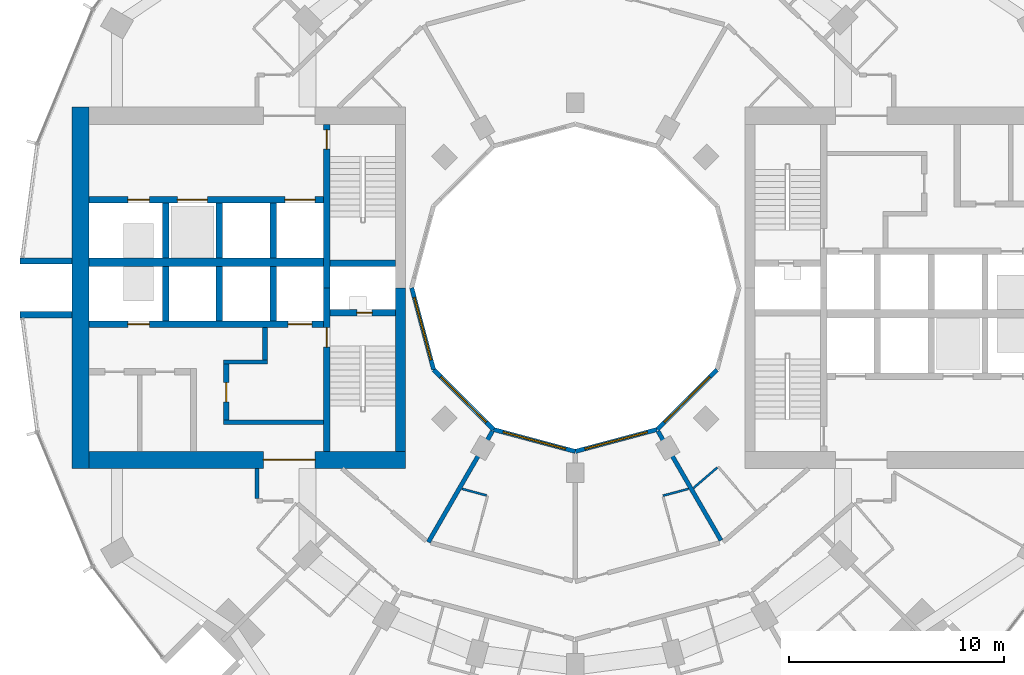
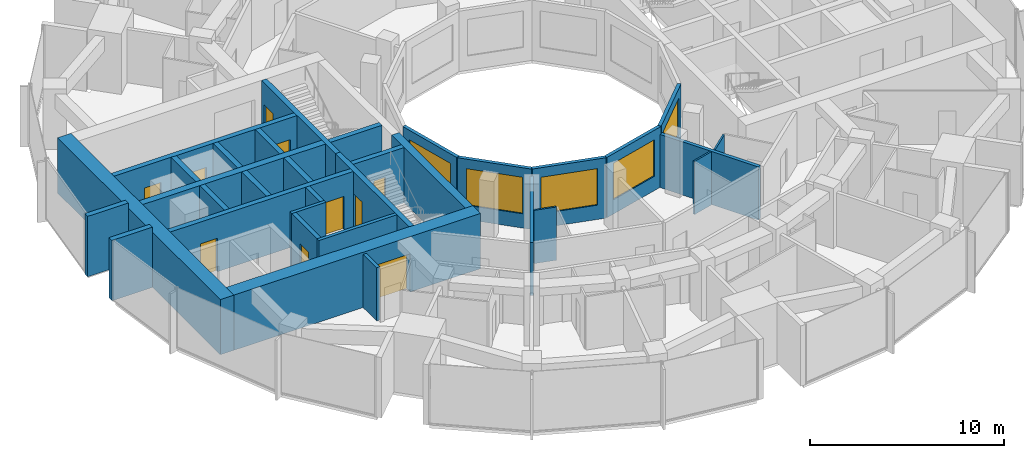
# One storey, part 9 of 15: 33 walls, 10 doors, 5 windows, 15 openings.
"""IFC4 building model written with IfcOpenShell, lengths in metres."""

import ifcopenshell
import ifcopenshell.guid

model = None  # the IFC model being written
_history = None  # IfcOwnerHistory: only IFC2X3 demands one
_inside = {}  # id of a spatial element -> (the spatial element, [elements in it])
_under = {}  # id of a project, library or spatial element -> (it, [spatial elements below it])
_declared = {}  # id of a project -> (the project, [libraries it declares])
_typed = {}  # id of a type object -> (the type object, [elements of that type])
_made_of = {}  # id of a material, layer set ... -> (it, [elements and type objects made of it])


def new_model(schema):
    """Start an empty IFC model of exactly this schema.

    Asked for "IFC4X3", IfcOpenShell would pick the latest addendum, in which some entities
    have other attributes; the version numbers below select the first issue.
    IFC2X3 requires an IfcOwnerHistory on every rooted entity: one is made here for all.
    """
    global model, _history
    if schema == "IFC4X3":
        model = ifcopenshell.file(schema_version=(4, 3, 0, 0))
    else:
        model = ifcopenshell.file(schema=schema)
    _inside.clear()
    _under.clear()
    _declared.clear()
    _typed.clear()
    _made_of.clear()
    _history = None
    if model.schema == "IFC2X3":
        org = make("IfcOrganization", Name="unknown")
        user = make(
            "IfcPersonAndOrganization",
            ThePerson=make("IfcPerson", FamilyName="unknown"),
            TheOrganization=org,
        )
        app = make(
            "IfcApplication",
            ApplicationDeveloper=org,
            Version="unknown",
            ApplicationFullName="unknown",
            ApplicationIdentifier="unknown",
        )
        _history = make(
            "IfcOwnerHistory",
            OwningUser=user,
            OwningApplication=app,
            ChangeAction="ADDED",
            CreationDate=0,
        )
    return model


def make(cls, **values):
    """One entity of the class cls with the attributes given. An attribute that is None is left unset."""
    return model.create_entity(
        cls, **{name: value for name, value in values.items() if value is not None}
    )


def rooted(cls, **values):
    """An entity with a GlobalId (a new one), such as an element, a storey or a relation."""
    return make(cls, GlobalId=ifcopenshell.guid.new(), OwnerHistory=_history, **values)


def si_unit(unit_type, name, prefix=None):
    """IfcSIUnit, for example si_unit("LENGTHUNIT", "METRE", prefix="MILLI")."""
    return make("IfcSIUnit", UnitType=unit_type, Prefix=prefix, Name=name)


def assignment(units):
    """IfcUnitAssignment: the units of a project."""
    return None if units is None else make("IfcUnitAssignment", Units=units)


def point(xyz):
    """IfcCartesianPoint."""
    return None if xyz is None else make("IfcCartesianPoint", Coordinates=xyz)


def direction(xyz):
    """IfcDirection."""
    return None if xyz is None else make("IfcDirection", DirectionRatios=xyz)


def frame(location, z_axis=None, x_axis=None):
    """IfcAxis2Placement3D, a coordinate frame: its origin and axes. An axis left out is left unset."""
    return make(
        "IfcAxis2Placement3D",
        Location=point(location),
        Axis=direction(z_axis),
        RefDirection=direction(x_axis),
    )


def frame_2d(location, x_axis=None):
    """IfcAxis2Placement2D, a coordinate frame in the plane: its origin and x axis."""
    return make(
        "IfcAxis2Placement2D", Location=point(location), RefDirection=direction(x_axis)
    )


def origin():
    """The frame at (0, 0, 0) with its axes left unset."""
    return frame((0.0, 0.0, 0.0))


def place(relative_to, where):
    """IfcLocalPlacement: puts the frame where relative to a parent placement (None: the world)."""
    return make(
        "IfcLocalPlacement", PlacementRelTo=relative_to, RelativePlacement=where
    )


def context(
    kind, dimensions, precision=None, world=None, true_north=None, identifier=None
):
    """IfcGeometricRepresentationContext, for example the 3D "Model" context."""
    return make(
        "IfcGeometricRepresentationContext",
        ContextIdentifier=identifier,
        ContextType=kind,
        CoordinateSpaceDimension=dimensions,
        Precision=precision,
        WorldCoordinateSystem=world,
        TrueNorth=true_north,
    )


def subcontext(parent, identifier, kind, view, scale=None):
    """IfcGeometricRepresentationSubContext, for example "Body" below "Model"."""
    return make(
        "IfcGeometricRepresentationSubContext",
        ContextIdentifier=identifier,
        ContextType=kind,
        ParentContext=parent,
        TargetScale=scale,
        TargetView=view,
    )


def project(units=None, contexts=None):
    """IfcProject with its units and contexts."""
    return rooted(
        "IfcProject",
        Name="project",
        RepresentationContexts=contexts,
        UnitsInContext=assignment(units),
    )


def spatial(cls, under=None, at=None, **own):
    """A site, building, storey or space (cls), placed at a placement, below another one or the project."""
    s = rooted(cls, ObjectPlacement=at, **own)
    if under is not None:
        _under.setdefault(under.id(), (under, []))[1].append(s)
    return s


def profile(cls, at=None, kind="AREA", **sizes):
    """A parametric profile (cls). Its sizes go by their IFC names, for example OverallWidth=200.0."""
    return make(cls, ProfileType=kind, Position=at, **sizes)


def rectangle(**sizes):
    """IfcRectangleProfileDef."""
    return profile("IfcRectangleProfileDef", **sizes)


def extrude(swept, where, along, depth):
    """IfcExtrudedAreaSolid: the profile swept, set in the frame where, extruded along a direction by depth."""
    return make(
        "IfcExtrudedAreaSolid",
        SweptArea=swept,
        Position=where,
        ExtrudedDirection=direction(along),
        Depth=depth,
    )


def shape(context_of_items, identifier, shape_type, items):
    """IfcShapeRepresentation: the items that make up one representation, for example the "Body"."""
    return make(
        "IfcShapeRepresentation",
        ContextOfItems=context_of_items,
        RepresentationIdentifier=identifier,
        RepresentationType=shape_type,
        Items=items,
    )


def material(Name=None, Category=None):
    """IfcMaterial."""
    return make("IfcMaterial", Name=Name, Category=Category)


def layer(
    of_material, thickness, ventilated=None, Name=None, Category=None, Priority=None
):
    """IfcMaterialLayer: one layer of a wall or slab, of a material (None: an air gap)."""
    return make(
        "IfcMaterialLayer",
        Material=of_material,
        LayerThickness=thickness,
        IsVentilated=ventilated,
        Name=Name,
        Category=Category,
        Priority=Priority,
    )


def layer_set(layers, Name=None):
    """IfcMaterialLayerSet."""
    return make("IfcMaterialLayerSet", MaterialLayers=layers, LayerSetName=Name)


def made_of(thing, what):
    """Note that an element or type object is made of a material, layer set ...; save() writes the relation."""
    if what is not None:
        _made_of.setdefault(what.id(), (what, []))[1].append(thing)
    return thing


def type_object(cls, material=None, **own):
    """A type object (cls), such as IfcWallType, which elements share."""
    return made_of(rooted(cls, **own), material)


def element(
    cls,
    number,
    at=None,
    inside=None,
    cuts=None,
    type_object=None,
    material=None,
    context=None,
    identifier="Body",
    shape_type=None,
    held_by="IfcProductDefinitionShape",
    body=None,
    shapes=None,
    **own,
):
    """One element of the class cls, such as IfcWall. Its Tag is "e" and its number.

    at: its placement. inside: the storey or other place that contains it. cuts: it is an
    opening in that element (IfcRelVoidsElement). A single representation is given by context,
    identifier, shape_type and body (its items); several are given by shapes. held_by: the class
    of the entity that holds the representations. save() writes the other relations.
    """
    e = rooted(cls, Tag="e%d" % number, ObjectPlacement=at, **own)
    if body is not None:
        shapes = [shape(context, identifier, shape_type, body)]
    if shapes is not None:
        e.Representation = make(held_by, Representations=shapes)
    if inside is not None:
        _inside.setdefault(inside.id(), (inside, []))[1].append(e)
    if cuts is not None:
        rooted(
            "IfcRelVoidsElement", RelatingBuildingElement=cuts, RelatedOpeningElement=e
        )
    if type_object is not None:
        _typed.setdefault(type_object.id(), (type_object, []))[1].append(e)
    return made_of(e, material)


def fill(opening, filler):
    """IfcRelFillsElement: the door or window that sits in an opening."""
    return rooted(
        "IfcRelFillsElement",
        RelatingOpeningElement=opening,
        RelatedBuildingElement=filler,
    )


def aggregate(whole, parts):
    """IfcRelAggregates: a whole, such as a stair, and the parts it consists of."""
    return rooted("IfcRelAggregates", RelatingObject=whole, RelatedObjects=parts)


def save(model, path):
    """Write the relations noted so far, then the file.

    IfcRelAggregates (storeys below a building ...), IfcRelContainedInSpatialStructure (elements
    in a storey), IfcRelDefinesByType, IfcRelAssociatesMaterial and IfcRelDeclares: one each for
    every whole, place, type object, material and project.
    """
    for whole, parts in _under.values():
        aggregate(whole, parts)
    for where, things in _inside.values():
        rooted(
            "IfcRelContainedInSpatialStructure",
            RelatedElements=things,
            RelatingStructure=where,
        )
    for kind, things in _typed.values():
        rooted("IfcRelDefinesByType", RelatedObjects=things, RelatingType=kind)
    for what, things in _made_of.values():
        rooted("IfcRelAssociatesMaterial", RelatedObjects=things, RelatingMaterial=what)
    for by, libraries in _declared.values():
        rooted("IfcRelDeclares", RelatingContext=by, RelatedDefinitions=libraries)
    model.write(path)


model = new_model("IFC4")

# Units and contexts
model_context = context("Model", 3, precision=1e-05, world=origin(), true_north=direction((0.0, 1.0)))
body_context = subcontext(model_context, "Body", "Model", "MODEL_VIEW")
ifc_project = project(units=[si_unit("LENGTHUNIT", "METRE"), si_unit("AREAUNIT", "SQUARE_METRE"), si_unit("VOLUMEUNIT", "CUBIC_METRE"), si_unit("PLANEANGLEUNIT", "RADIAN"), si_unit("MASSUNIT", "GRAM", prefix="KILO")], contexts=[model_context])

# Site, building, storey
site_placement = place(None, origin())
site = spatial("IfcSite", under=ifc_project, at=site_placement, CompositionType="ELEMENT")
building_placement = place(site_placement, origin())
building = spatial("IfcBuilding", under=site, at=building_placement, Name="Torre Brocal", CompositionType="ELEMENT")
storey_placement = place(building_placement, frame((0.0, 0.0, 47.800048828125)))
storey = spatial("IfcBuildingStorey", under=building, at=storey_placement, Name="L10", CompositionType="ELEMENT", Elevation=47.800048828125)

# Walls
ifc_material_1 = material(Name="Concrete C80", Category="concrete")
ifc_layer_1 = layer(ifc_material_1, 0.199951171875)
ifc_layer_set_1 = layer_set([ifc_layer_1], Name="Concrete C80")
wall_type_1 = type_object("IfcWallType", Name="CORE WALL 200 C80", PredefinedType="SHEAR", material=ifc_layer_set_1)
wall_1_placement = place(storey_placement, frame((68.300048828125, 68.75, 0.0), z_axis=(0.0, 0.0, 1.0), x_axis=(-1.0, 0.0, 0.0)))
element("IfcWall", 1, at=wall_1_placement, inside=storey, type_object=wall_type_1, Name="Wall CW200-80", PredefinedType="SHEAR", context=body_context, shape_type="SweptSolid", body=[
    extrude(rectangle(XDim=4.650146484375, YDim=0.199951171875, at=frame_2d((2.3251953125, 0.0))), origin(), (0.0, 0.0, 1.0), 3.47998046875),
])
wall_2_placement = place(storey_placement, frame((65.699951171875, 71.550048828125, 0.0), z_axis=(0.0, 0.0, 1.0), x_axis=(-1.0, 0.0, 0.0)))
element("IfcWall", 2, at=wall_2_placement, inside=storey, type_object=wall_type_1, Name="Wall CW200-80", PredefinedType="SHEAR", context=body_context, shape_type="SweptSolid", body=[
    extrude(rectangle(XDim=2.050048828125, YDim=0.199951171875, at=frame_2d((1.02490234375, 0.0))), origin(), (0.0, 0.0, 1.0), 3.47998046875),
])

# Wall, opening, door
ifc_material_2 = material(Name="Concrete C80", Category="concrete")
ifc_layer_2 = layer(ifc_material_2, 0.25)
ifc_layer_set_2 = layer_set([ifc_layer_2], Name="Concrete C80")
wall_type_2 = type_object("IfcWallType", Name="CORE WALL 250 C80", PredefinedType="SHEAR", material=ifc_layer_set_2)
wall_3_placement = place(storey_placement, frame((63.77490234375, 71.449951171875, 0.0), z_axis=(0.0, 0.0, 1.0), x_axis=(0.0, -1.0, 0.0)))
wall_3 = element("IfcWall", 3, at=wall_3_placement, inside=storey, type_object=wall_type_2, Name="Wall CW250-80", PredefinedType="SHEAR", context=body_context, shape_type="SweptSolid", body=[
    extrude(rectangle(XDim=2.599853515625, YDim=0.25, at=frame_2d((1.2998046875, 0.0))), origin(), (0.0, 0.0, 1.0), 3.47998046875),
])
opening_1_placement = place(wall_3_placement, frame((0.85009765625, 0.0, 0.0)))
opening_1 = element("IfcOpeningElement", 4, at=opening_1_placement, cuts=wall_3, Name="Opening W-D15", PredefinedType="OPENING", context=body_context, shape_type="SweptSolid", body=[
    extrude(rectangle(XDim=0.89990234375, YDim=2.10009765625, at=frame_2d((0.449951171875, 1.050048828125))), frame((0.0, 0.135009765625, 0.0), z_axis=(0.0, -1.0, 0.0), x_axis=(1.0, 0.0, 0.0)), (0.0, 0.0, 1.0), 0.27001953125),
])
ifc_material_3 = material(Name="Steel A653", Category="steel")
door_type_1 = type_object("IfcDoorType", Name="LOBBY DOOR FD120 900X2100", OperationType="SINGLE_SWING_RIGHT", PredefinedType="DOOR", material=ifc_material_3)
door_1_placement = place(opening_1_placement, origin())
door_1 = element("IfcDoor", 5, at=door_1_placement, inside=storey, type_object=door_type_1, Name="Door W-D15", OperationType="SINGLE_SWING_LEFT", OverallHeight=2.10009765625, OverallWidth=0.89990234375, PredefinedType="DOOR", context=body_context, shape_type="SweptSolid", body=[
    extrude(rectangle(XDim=0.89990234375, YDim=2.10009765625, at=frame_2d((0.449951171875, 1.050048828125))), frame((0.0, 0.02490234375, 0.0), z_axis=(0.0, -1.0, 0.0), x_axis=(1.0, 0.0, 0.0)), (0.0, 0.0, 1.0), 0.050048828125),
])
fill(opening_1, door_1)

# Wall
wall_4_placement = place(storey_placement, frame((65.574951171875, 73.14990234375, 0.0), z_axis=(0.0, 0.0, 1.0), x_axis=(0.0, -1.0, 0.0)))
element("IfcWall", 6, at=wall_4_placement, inside=storey, type_object=wall_type_2, Name="Wall CW250-80", PredefinedType="SHEAR", context=body_context, shape_type="SweptSolid", body=[
    extrude(rectangle(XDim=1.5, YDim=0.25, at=frame_2d((0.75, 0.0))), origin(), (0.0, 0.0, 1.0), 3.47998046875),
])

# Wall, opening, door
ifc_material_4 = material(Name="Concrete C80", Category="concrete")
ifc_layer_3 = layer(ifc_material_4, 0.300048828125)
ifc_layer_set_3 = layer_set([ifc_layer_3], Name="Concrete C80")
wall_type_3 = type_object("IfcWallType", Name="CORE WALL 300 C80", PredefinedType="SHEAR", material=ifc_layer_set_3)
wall_5_placement = place(storey_placement, frame((68.449951171875, 75.0, 0.0), z_axis=(0.0, 0.0, 1.0), x_axis=(0.0, -1.0, 0.0)))
wall_5 = element("IfcWall", 7, at=wall_5_placement, inside=storey, type_object=wall_type_3, Name="Wall CW300-80", PredefinedType="SHEAR", context=body_context, shape_type="SweptSolid", body=[
    extrude(rectangle(XDim=7.60009765625, YDim=0.300048828125, at=frame_2d((3.800048828125, 0.0))), origin(), (0.0, 0.0, 1.0), 3.47998046875),
])
opening_2_placement = place(wall_5_placement, frame((1.85009765625, 0.0, 0.0)))
opening_2 = element("IfcOpeningElement", 8, at=opening_2_placement, cuts=wall_5, Name="Opening W-D02", PredefinedType="OPENING", context=body_context, shape_type="SweptSolid", body=[
    extrude(rectangle(XDim=0.89990234375, YDim=2.10009765625, at=frame_2d((0.449951171875, 1.050048828125))), frame((0.0, 0.159912109375, 0.0), z_axis=(0.0, -1.0, 0.0), x_axis=(1.0, 0.0, 0.0)), (0.0, 0.0, 1.0), 0.320068359375),
])
ifc_material_5 = material(Name="Steel A653", Category="steel")
door_type_2 = type_object("IfcDoorType", Name="STAIR DOOR FD120 900X2100", OperationType="SINGLE_SWING_RIGHT", PredefinedType="DOOR", material=ifc_material_5)
door_2_placement = place(opening_2_placement, origin())
door_2 = element("IfcDoor", 9, at=door_2_placement, inside=storey, type_object=door_type_2, Name="Door W-D02", OperationType="SINGLE_SWING_LEFT", OverallHeight=2.10009765625, OverallWidth=0.89990234375, PredefinedType="DOOR", context=body_context, shape_type="SweptSolid", body=[
    extrude(rectangle(XDim=0.89990234375, YDim=2.10009765625, at=frame_2d((0.449951171875, 1.050048828125))), frame((0.0, 0.02490234375, 0.0), z_axis=(0.0, -1.0, 0.0), x_axis=(1.0, 0.0, 0.0)), (0.0, 0.0, 1.0), 0.050048828125),
])
fill(opening_2, door_2)

wall_6_placement = place(storey_placement, frame((68.449951171875, 82.60009765625, 0.0), z_axis=(0.0, 0.0, 1.0), x_axis=(0.0, -1.0, 0.0)))
wall_6 = element("IfcWall", 10, at=wall_6_placement, inside=storey, type_object=wall_type_3, Name="Wall CW300-80", PredefinedType="SHEAR", context=body_context, shape_type="SweptSolid", body=[
    extrude(rectangle(XDim=7.60009765625, YDim=0.300048828125, at=frame_2d((3.800048828125, 0.0))), origin(), (0.0, 0.0, 1.0), 3.47998046875),
])
opening_3_placement = place(wall_6_placement, frame((0.25, 0.0, 0.0)))
opening_3 = element("IfcOpeningElement", 11, at=opening_3_placement, cuts=wall_6, Name="Opening W-D03", PredefinedType="OPENING", context=body_context, shape_type="SweptSolid", body=[
    extrude(rectangle(XDim=0.89990234375, YDim=2.10009765625, at=frame_2d((0.449951171875, 1.050048828125))), frame((0.0, 0.159912109375, 0.0), z_axis=(0.0, -1.0, 0.0), x_axis=(1.0, 0.0, 0.0)), (0.0, 0.0, 1.0), 0.320068359375),
])
door_3_placement = place(opening_3_placement, origin())
door_3 = element("IfcDoor", 12, at=door_3_placement, inside=storey, type_object=door_type_2, Name="Door W-D03", OperationType="SINGLE_SWING_LEFT", OverallHeight=2.10009765625, OverallWidth=0.89990234375, PredefinedType="DOOR", context=body_context, shape_type="SweptSolid", body=[
    extrude(rectangle(XDim=0.89990234375, YDim=2.10009765625, at=frame_2d((0.449951171875, 1.050048828125))), frame((0.0, 0.02490234375, 0.0), z_axis=(0.0, -1.0, 0.0), x_axis=(1.0, 0.0, 0.0)), (0.0, 0.0, 1.0), 0.050048828125),
])
fill(opening_3, door_3)

wall_7_placement = place(storey_placement, frame((71.64990234375, 73.85009765625, 0.0), z_axis=(0.0, 0.0, 1.0), x_axis=(-1.0, 0.0, 0.0)))
wall_7 = element("IfcWall", 13, at=wall_7_placement, inside=storey, type_object=wall_type_3, Name="Wall CW300-80", PredefinedType="SHEAR", context=body_context, shape_type="SweptSolid", body=[
    extrude(rectangle(XDim=3.0498046875, YDim=0.300048828125, at=frame_2d((1.52490234375, 0.0))), origin(), (0.0, 0.0, 1.0), 3.47998046875),
])
opening_4_placement = place(wall_7_placement, frame((1.10009765625, 0.0, 0.0)))
opening_4 = element("IfcOpeningElement", 14, at=opening_4_placement, cuts=wall_7, Name="Opening W-D01", PredefinedType="OPENING", context=body_context, shape_type="SweptSolid", body=[
    extrude(rectangle(XDim=0.699951171875, YDim=2.0, at=frame_2d((0.35009765625, 1.0))), frame((0.0, 0.159912109375, 0.0), z_axis=(0.0, -1.0, 0.0), x_axis=(1.0, 0.0, 0.0)), (0.0, 0.0, 1.0), 0.320068359375),
])
ifc_material_6 = material(Name="Steel A653", Category="steel")
door_type_3 = type_object("IfcDoorType", Name="RISER DOOR FD120 700X2000", OperationType="SINGLE_SWING_LEFT", PredefinedType="DOOR", material=ifc_material_6)
door_4_placement = place(opening_4_placement, frame((0.699951171875, 0.0, 0.0), z_axis=(0.0, 0.0, 1.0), x_axis=(-1.0, 0.0, 0.0)))
door_4 = element("IfcDoor", 15, at=door_4_placement, inside=storey, type_object=door_type_3, Name="Door W-D01", OperationType="SINGLE_SWING_RIGHT", OverallHeight=2.0, OverallWidth=0.699951171875, PredefinedType="DOOR", context=body_context, shape_type="SweptSolid", body=[
    extrude(rectangle(XDim=0.699951171875, YDim=2.0, at=frame_2d((0.35009765625, 1.0))), frame((0.0, 0.02490234375, 0.0), z_axis=(0.0, -1.0, 0.0), x_axis=(1.0, 0.0, 0.0)), (0.0, 0.0, 1.0), 0.050048828125),
])
fill(opening_4, door_4)

# Wall
wall_8_placement = place(storey_placement, frame((71.64990234375, 76.14990234375, 0.0), z_axis=(0.0, 0.0, 1.0), x_axis=(-1.0, 0.0, 0.0)))
element("IfcWall", 16, at=wall_8_placement, inside=storey, type_object=wall_type_3, Name="Wall CW300-80", PredefinedType="SHEAR", context=body_context, shape_type="SweptSolid", body=[
    extrude(rectangle(XDim=3.0498046875, YDim=0.300048828125, at=frame_2d((1.52490234375, 0.0))), origin(), (0.0, 0.0, 1.0), 3.47998046875),
])

# Wall, openings, doors
wall_9_placement = place(storey_placement, frame((68.300048828125, 73.300048828125, 0.0), z_axis=(0.0, 0.0, 1.0), x_axis=(-1.0, 0.0, 0.0)))
wall_9 = element("IfcWall", 17, at=wall_9_placement, inside=storey, type_object=wall_type_3, Name="Wall CW300-80", PredefinedType="SHEAR", context=body_context, shape_type="SweptSolid", body=[
    extrude(rectangle(XDim=10.900146484375, YDim=0.300048828125, at=frame_2d((5.4501953125, 0.0))), origin(), (0.0, 0.0, 1.0), 3.47998046875),
])
opening_5_placement = place(wall_9_placement, frame((0.550048828125, 0.0, 0.0)))
opening_5 = element("IfcOpeningElement", 18, at=opening_5_placement, cuts=wall_9, Name="Opening LD", PredefinedType="OPENING", context=body_context, shape_type="SweptSolid", body=[
    extrude(rectangle(XDim=1.10009765625, YDim=2.10009765625, at=frame_2d((0.550048828125, 1.050048828125))), frame((0.0, 0.159912109375, 0.0), z_axis=(0.0, -1.0, 0.0), x_axis=(1.0, 0.0, 0.0)), (0.0, 0.0, 1.0), 0.320068359375),
])
opening_6_placement = place(wall_9_placement, frame((8.10009765625, 0.0, 0.0)))
opening_6 = element("IfcOpeningElement", 19, at=opening_6_placement, cuts=wall_9, Name="Opening LD10", PredefinedType="OPENING", context=body_context, shape_type="SweptSolid", body=[
    extrude(rectangle(XDim=1.0, YDim=2.10009765625, at=frame_2d((0.5, 1.050048828125))), frame((0.0, 0.159912109375, 0.0), z_axis=(0.0, -1.0, 0.0), x_axis=(1.0, 0.0, 0.0)), (0.0, 0.0, 1.0), 0.320068359375),
])
ifc_material_7 = material(Name="Stainless steel AISI 316", Category="steel")
door_type_4 = type_object("IfcDoorType", Name="LIFT LANDING DOOR 1000X2100", OperationType="DOUBLE_DOOR_SLIDING", PredefinedType="DOOR", material=ifc_material_7)
door_5_placement = place(opening_6_placement, origin())
door_5 = element("IfcDoor", 20, at=door_5_placement, inside=storey, type_object=door_type_4, Name="Door LD10", OperationType="DOUBLE_DOOR_SLIDING", OverallHeight=2.10009765625, OverallWidth=1.0, PredefinedType="DOOR", context=body_context, shape_type="SweptSolid", body=[
    extrude(rectangle(XDim=1.0, YDim=2.10009765625, at=frame_2d((0.5, 1.050048828125))), frame((0.0, 0.02490234375, 0.0), z_axis=(0.0, -1.0, 0.0), x_axis=(1.0, 0.0, 0.0)), (0.0, 0.0, 1.0), 0.050048828125),
])
fill(opening_6, door_5)
ifc_material_8 = material(Name="Stainless steel AISI 316", Category="steel")
door_type_5 = type_object("IfcDoorType", Name="LIFT LANDING DOOR 1100X2100", OperationType="DOUBLE_DOOR_SLIDING", PredefinedType="DOOR", material=ifc_material_8)
door_6_placement = place(opening_5_placement, origin())
door_6 = element("IfcDoor", 21, at=door_6_placement, inside=storey, type_object=door_type_5, Name="Door LD", OperationType="DOUBLE_DOOR_SLIDING", OverallHeight=2.10009765625, OverallWidth=1.10009765625, PredefinedType="DOOR", context=body_context, shape_type="SweptSolid", body=[
    extrude(rectangle(XDim=1.10009765625, YDim=2.10009765625, at=frame_2d((0.550048828125, 1.050048828125))), frame((0.0, 0.02490234375, 0.0), z_axis=(0.0, -1.0, 0.0), x_axis=(1.0, 0.0, 0.0)), (0.0, 0.0, 1.0), 0.050048828125),
])
fill(opening_5, door_6)

wall_10_placement = place(storey_placement, frame((68.300048828125, 79.10009765625, 0.0), z_axis=(0.0, 0.0, 1.0), x_axis=(-1.0, 0.0, 0.0)))
wall_10 = element("IfcWall", 22, at=wall_10_placement, inside=storey, type_object=wall_type_3, Name="Wall CW300-80", PredefinedType="SHEAR", context=body_context, shape_type="SweptSolid", body=[
    extrude(rectangle(XDim=10.900146484375, YDim=0.300048828125, at=frame_2d((5.4501953125, 0.0))), origin(), (0.0, 0.0, 1.0), 3.47998046875),
])
opening_7_placement = place(wall_10_placement, frame((0.39990234375, 0.0, 0.0)))
opening_7 = element("IfcOpeningElement", 23, at=opening_7_placement, cuts=wall_10, Name="Opening LD14", PredefinedType="OPENING", context=body_context, shape_type="SweptSolid", body=[
    extrude(rectangle(XDim=1.39990234375, YDim=2.10009765625, at=frame_2d((0.699951171875, 1.050048828125))), frame((0.0, 0.159912109375, 0.0), z_axis=(0.0, -1.0, 0.0), x_axis=(1.0, 0.0, 0.0)), (0.0, 0.0, 1.0), 0.320068359375),
])
opening_8_placement = place(wall_10_placement, frame((5.39990234375, 0.0, 0.0)))
opening_8 = element("IfcOpeningElement", 24, at=opening_8_placement, cuts=wall_10, Name="Opening LD14", PredefinedType="OPENING", context=body_context, shape_type="SweptSolid", body=[
    extrude(rectangle(XDim=1.39990234375, YDim=2.10009765625, at=frame_2d((0.699951171875, 1.050048828125))), frame((0.0, 0.159912109375, 0.0), z_axis=(0.0, -1.0, 0.0), x_axis=(1.0, 0.0, 0.0)), (0.0, 0.0, 1.0), 0.320068359375),
])
opening_9_placement = place(wall_10_placement, frame((8.10009765625, 0.0, 0.0)))
opening_9 = element("IfcOpeningElement", 25, at=opening_9_placement, cuts=wall_10, Name="Opening LD10", PredefinedType="OPENING", context=body_context, shape_type="SweptSolid", body=[
    extrude(rectangle(XDim=1.0, YDim=2.10009765625, at=frame_2d((0.5, 1.050048828125))), frame((0.0, 0.159912109375, 0.0), z_axis=(0.0, -1.0, 0.0), x_axis=(1.0, 0.0, 0.0)), (0.0, 0.0, 1.0), 0.320068359375),
])
door_7_placement = place(opening_9_placement, origin())
door_7 = element("IfcDoor", 26, at=door_7_placement, inside=storey, type_object=door_type_4, Name="Door LD10", OperationType="DOUBLE_DOOR_SLIDING", OverallHeight=2.10009765625, OverallWidth=1.0, PredefinedType="DOOR", context=body_context, shape_type="SweptSolid", body=[
    extrude(rectangle(XDim=1.0, YDim=2.10009765625, at=frame_2d((0.5, 1.050048828125))), frame((0.0, 0.02490234375, 0.0), z_axis=(0.0, -1.0, 0.0), x_axis=(1.0, 0.0, 0.0)), (0.0, 0.0, 1.0), 0.050048828125),
])
fill(opening_9, door_7)
ifc_material_9 = material(Name="Stainless steel AISI 316", Category="steel")
door_type_6 = type_object("IfcDoorType", Name="LIFT LANDING DOOR 1400X2100", OperationType="DOUBLE_DOOR_SLIDING", PredefinedType="DOOR", material=ifc_material_9)
door_8_placement = place(opening_7_placement, origin())
door_8 = element("IfcDoor", 27, at=door_8_placement, inside=storey, type_object=door_type_6, Name="Door LD14", OperationType="DOUBLE_DOOR_SLIDING", OverallHeight=2.10009765625, OverallWidth=1.39990234375, PredefinedType="DOOR", context=body_context, shape_type="SweptSolid", body=[
    extrude(rectangle(XDim=1.39990234375, YDim=2.10009765625, at=frame_2d((0.699951171875, 1.050048828125))), frame((0.0, 0.02490234375, 0.0), z_axis=(0.0, -1.0, 0.0), x_axis=(1.0, 0.0, 0.0)), (0.0, 0.0, 1.0), 0.050048828125),
])
fill(opening_7, door_8)
door_9_placement = place(opening_8_placement, origin())
door_9 = element("IfcDoor", 28, at=door_9_placement, inside=storey, type_object=door_type_6, Name="Door LD14", OperationType="DOUBLE_DOOR_SLIDING", OverallHeight=2.10009765625, OverallWidth=1.39990234375, PredefinedType="DOOR", context=body_context, shape_type="SweptSolid", body=[
    extrude(rectangle(XDim=1.39990234375, YDim=2.10009765625, at=frame_2d((0.699951171875, 1.050048828125))), frame((0.0, 0.02490234375, 0.0), z_axis=(0.0, -1.0, 0.0), x_axis=(1.0, 0.0, 0.0)), (0.0, 0.0, 1.0), 0.050048828125),
])
fill(opening_8, door_9)

# Walls
for number, where, z_axis, x_axis, name in (
    (29, (65.949951171875, 76.0, 0.0), (0.0, 0.0, 1.0), (0.0, -1.0, 0.0), "Wall CW300-80"),
    (30, (63.449951171875, 76.0, 0.0), (0.0, 0.0, 1.0), (0.0, -1.0, 0.0), "Wall CW300-80"),
    (31, (60.949951171875, 76.0, 0.0), (0.0, 0.0, 1.0), (0.0, -1.0, 0.0), "Wall CW300-80"),
    (32, (65.949951171875, 78.949951171875, 0.0), (0.0, 0.0, 1.0), (0.0, -1.0, 0.0), "Wall CW300-80"),
    (33, (63.449951171875, 78.949951171875, 0.0), (0.0, 0.0, 1.0), (0.0, -1.0, 0.0), "Wall CW300-80"),
    (34, (60.949951171875, 78.949951171875, 0.0), (0.0, 0.0, 1.0), (0.0, -1.0, 0.0), "Wall CW300-80"),
):
    element("IfcWall", number, at=place(storey_placement, frame(where, z_axis=z_axis, x_axis=x_axis)), inside=storey, type_object=wall_type_3, Name=name, PredefinedType="SHEAR", context=body_context, shape_type="SweptSolid", body=[
        extrude(rectangle(XDim=2.550048828125, YDim=0.300048828125, at=frame_2d((1.27490234375, 0.0))), origin(), (0.0, 0.0, 1.0), 3.47998046875),
    ])
ifc_material_10 = material(Name="Concrete C80", Category="concrete")
ifc_layer_4 = layer(ifc_material_10, 0.39990234375)
ifc_layer_set_4 = layer_set([ifc_layer_4], Name="Concrete C80")
wall_type_4 = type_object("IfcWallType", Name="CORE WALL 400 C80", PredefinedType="SHEAR", material=ifc_layer_set_4)
wall_11_placement = place(storey_placement, frame((68.300048828125, 76.199951171875, 0.0), z_axis=(0.0, 0.0, 1.0), x_axis=(-1.0, 0.0, 0.0)))
element("IfcWall", 35, at=wall_11_placement, inside=storey, type_object=wall_type_4, Name="Wall CW400-80", PredefinedType="SHEAR", context=body_context, shape_type="SweptSolid", body=[
    extrude(rectangle(XDim=10.900146484375, YDim=0.39990234375, at=frame_2d((5.4501953125, 0.0))), origin(), (0.0, 0.0, 1.0), 3.47998046875),
])
ifc_material_11 = material(Name="Concrete C80", Category="concrete")
ifc_layer_5 = layer(ifc_material_11, 0.449951171875)
ifc_layer_set_5 = layer_set([ifc_layer_5], Name="Concrete C80")
wall_type_5 = type_object("IfcWallType", Name="CORE WALL 450 C80", PredefinedType="SHEAR", material=ifc_layer_set_5)
wall_12_placement = place(storey_placement, frame((71.875, 75.0, 0.0), z_axis=(0.0, 0.0, 1.0), x_axis=(0.0, -1.0, 0.0)))
element("IfcWall", 36, at=wall_12_placement, inside=storey, type_object=wall_type_5, Name="Wall CW450-80", PredefinedType="SHEAR", context=body_context, shape_type="SweptSolid", body=[
    extrude(rectangle(XDim=7.60009765625, YDim=0.449951171875, at=frame_2d((3.800048828125, 0.0))), origin(), (0.0, 0.0, 1.0), 3.47998046875),
])

# Wall, opening, door
ifc_material_12 = material(Name="Concrete C80", Category="concrete")
ifc_layer_6 = layer(ifc_material_12, 0.800048828125)
ifc_layer_set_6 = layer_set([ifc_layer_6], Name="Concrete C80")
wall_type_6 = type_object("IfcWallType", Name="CORE WALL 800 C80", PredefinedType="SHEAR", material=ifc_layer_set_6)
wall_13_placement = place(storey_placement, frame((72.10009765625, 67.0, 0.0), z_axis=(0.0, 0.0, 1.0), x_axis=(-1.0, 0.0, 0.0)))
wall_13 = element("IfcWall", 37, at=wall_13_placement, inside=storey, type_object=wall_type_6, Name="Wall CW800-80", PredefinedType="SHEAR", context=body_context, shape_type="SweptSolid", body=[
    extrude(rectangle(XDim=14.7001953125, YDim=0.800048828125, at=frame_2d((7.35009765625, 0.0))), origin(), (0.0, 0.0, 1.0), 3.47998046875),
])
opening_10_placement = place(wall_13_placement, frame((4.199951171875, 0.0, 0.0)))
opening_10 = element("IfcOpeningElement", 38, at=opening_10_placement, cuts=wall_13, Name="Opening W-D24", PredefinedType="OPENING", context=body_context, shape_type="SweptSolid", body=[
    extrude(rectangle(XDim=2.39990234375, YDim=2.39990234375, at=frame_2d((1.199951171875, 1.199951171875))), frame((0.0, 0.409912109375, 0.0), z_axis=(0.0, -1.0, 0.0), x_axis=(1.0, 0.0, 0.0)), (0.0, 0.0, 1.0), 0.820068359375),
])
ifc_material_13 = material(Name="Steel A653", Category="steel")
door_type_7 = type_object("IfcDoorType", Name="DOUBLE FIRE DOOR FD90 2400X2400", OperationType="DOUBLE_DOOR_SINGLE_SWING", PredefinedType="DOOR", material=ifc_material_13)
door_10_placement = place(opening_10_placement, frame((2.39990234375, 0.0, 0.0), z_axis=(0.0, 0.0, 1.0), x_axis=(-1.0, 0.0, 0.0)))
door_10 = element("IfcDoor", 39, at=door_10_placement, inside=storey, type_object=door_type_7, Name="Door W-D24", OperationType="DOUBLE_DOOR_SINGLE_SWING", OverallHeight=2.39990234375, OverallWidth=2.39990234375, PredefinedType="DOOR", context=body_context, shape_type="SweptSolid", body=[
    extrude(rectangle(XDim=2.39990234375, YDim=2.39990234375, at=frame_2d((1.199951171875, 1.199951171875))), frame((0.0, 0.02490234375, 0.0), z_axis=(0.0, -1.0, 0.0), x_axis=(1.0, 0.0, 0.0)), (0.0, 0.0, 1.0), 0.050048828125),
])
fill(opening_10, door_10)

# Walls
wall_14_placement = place(storey_placement, frame((57.0, 83.39990234375, 0.0), z_axis=(0.0, 0.0, 1.0), x_axis=(0.0, -1.0, 0.0)))
element("IfcWall", 40, at=wall_14_placement, inside=storey, type_object=wall_type_6, Name="Wall CW800-80", PredefinedType="SHEAR", context=body_context, shape_type="SweptSolid", body=[
    extrude(rectangle(XDim=16.7998046875, YDim=0.800048828125, at=frame_2d((8.39990234375, 0.0))), origin(), (0.0, 0.0, 1.0), 3.47998046875),
])
ifc_material_14 = material(Name="Concrete C80", Category="concrete")
ifc_layer_7 = layer(ifc_material_14, 0.300048828125)
ifc_layer_set_7 = layer_set([ifc_layer_7], Name="Concrete C80")
wall_type_7 = type_object("IfcWallType", Name="NOTCH RETURN WALL 300 C80", PredefinedType="NOTDEFINED", material=ifc_layer_set_7)
for number, where, z_axis, x_axis, name in (
    (41, (56.60009765625, 76.25, 0.0), (0.0, 0.0, 1.0), (-1.0, 0.0, 0.0), "NOTCH RETURN WALL"),
    (42, (56.60009765625, 73.75, 0.0), (0.0, 0.0, 1.0), (-1.0, 0.0, 0.0), "NOTCH RETURN WALL"),
):
    element("IfcWall", number, at=place(storey_placement, frame(where, z_axis=z_axis, x_axis=x_axis)), inside=storey, type_object=wall_type_7, Name=name, PredefinedType="NOTDEFINED", context=body_context, shape_type="SweptSolid", body=[
        extrude(rectangle(XDim=2.415771484375, YDim=0.300048828125, at=frame_2d((1.2080078125, 0.0))), origin(), (0.0, 0.0, 1.0), 3.800048828125),
    ])
ifc_material_15 = material(Name="Gypsum board", Category="Gypsum")
ifc_layer_8 = layer(ifc_material_15, 0.10009765625)
ifc_layer_set_8 = layer_set([ifc_layer_8], Name="Gypsum board")
wall_type_8 = type_object("IfcWallType", Name="PARTITION 100", PredefinedType="PARTITIONING", material=ifc_layer_set_8)
wall_15_placement = place(storey_placement, frame((74.729248046875, 65.657470703125, 0.0), z_axis=(0.0, 0.0, 1.0), x_axis=(0.965948051503, -0.258736085224, 0.0)))
element("IfcWall", 43, at=wall_15_placement, inside=storey, type_object=wall_type_8, Name="BATHROOM WALL", PredefinedType="PARTITIONING", context=body_context, shape_type="SweptSolid", body=[
    extrude(rectangle(XDim=1.18896484375, YDim=0.10009765625, at=frame_2d((0.594482421875, 0.0))), origin(), (0.0, 0.0, 1.0), 3.349853515625),
])
wall_16_placement = place(storey_placement, frame((84.073974609375, 65.3369140625, 0.0), z_axis=(0.0, 0.0, 1.0), x_axis=(0.965914351064, 0.258861867428, 0.0)))
element("IfcWall", 44, at=wall_16_placement, inside=storey, type_object=wall_type_8, Name="BATHROOM WALL", PredefinedType="PARTITIONING", context=body_context, shape_type="SweptSolid", body=[
    extrude(rectangle(XDim=1.22900390625, YDim=0.10009765625, at=frame_2d((0.614501953125, 0.0))), origin(), (0.0, 0.0, 1.0), 3.349853515625),
])
wall_17_placement = place(storey_placement, frame((85.497314453125, 65.69580078125, 0.0), z_axis=(0.0, 0.0, 1.0), x_axis=(0.75817032582, 0.652056559698, 0.0)))
element("IfcWall", 45, at=wall_17_placement, inside=storey, type_object=wall_type_8, Name="BATHROOM WALL", PredefinedType="PARTITIONING", context=body_context, shape_type="SweptSolid", body=[
    extrude(rectangle(XDim=1.4609375, YDim=0.10009765625, at=frame_2d((0.73046875, 0.0))), origin(), (0.0, 0.0, 1.0), 3.349853515625),
])
ifc_material_16 = material(Name="Gypsum board", Category="Gypsum")
ifc_layer_9 = layer(ifc_material_16, 0.199951171875)
ifc_layer_set_9 = layer_set([ifc_layer_9], Name="Gypsum board")
wall_type_9 = type_object("IfcWallType", Name="PARTITION 200 EI60", PredefinedType="PARTITIONING", material=ifc_layer_set_9)
wall_18_placement = place(storey_placement, frame((65.199951171875, 65.199951171875, 0.0), z_axis=(0.0, 0.0, 1.0), x_axis=(0.0, 1.0, 0.0)))
element("IfcWall", 46, at=wall_18_placement, inside=storey, type_object=wall_type_9, Name="GUESTROOM CORRIDOR WALL", PredefinedType="PARTITIONING", context=body_context, shape_type="SweptSolid", body=[
    extrude(rectangle(XDim=1.399169921875, YDim=0.199951171875, at=frame_2d((0.69970703125, 0.0))), origin(), (0.0, 0.0, 1.0), 3.349853515625),
])
wall_19_placement = place(storey_placement, frame((73.169189453125, 63.17822265625, 0.0), z_axis=(0.0, 0.0, 1.0), x_axis=(0.50020860964, 0.865904929448, 0.0)))
element("IfcWall", 47, at=wall_19_placement, inside=storey, type_object=wall_type_9, Name="BATHROOM WALL", PredefinedType="PARTITIONING", context=body_context, shape_type="SweptSolid", body=[
    extrude(rectangle(XDim=5.955078125, YDim=0.199951171875, at=frame_2d((2.9775390625, 0.0))), origin(), (0.0, 0.0, 1.0), 3.349853515625),
])
wall_20_placement = place(storey_placement, frame((83.847900390625, 68.332275390625, 0.0), z_axis=(0.0, 0.0, 1.0), x_axis=(0.499919778085, -0.866071714975, 0.0)))
element("IfcWall", 48, at=wall_20_placement, inside=storey, type_object=wall_type_9, Name="BATHROOM WALL", PredefinedType="PARTITIONING", context=body_context, shape_type="SweptSolid", body=[
    extrude(rectangle(XDim=5.85498046875, YDim=0.199951171875, at=frame_2d((2.927490234375, 0.0))), origin(), (0.0, 0.0, 1.0), 3.349853515625),
])

# Wall, opening, window
ifc_material_17 = material(Name="Concrete C40", Category="concrete")
ifc_layer_10 = layer(ifc_material_17, 0.199951171875)
ifc_layer_set_10 = layer_set([ifc_layer_10], Name="Concrete C40")
wall_type_10 = type_object("IfcWallType", Name="WELL FACADE WALL 200", PredefinedType="NOTDEFINED", material=ifc_layer_set_10)
wall_21_placement = place(storey_placement, frame((72.396484375, 75.0, 0.0), z_axis=(0.0, 0.0, 1.0), x_axis=(0.258789828301, -0.965933654434, 0.0)))
wall_21 = element("IfcWall", 49, at=wall_21_placement, inside=storey, type_object=wall_type_10, Name="WELL FACADE WALL", PredefinedType="NOTDEFINED", context=body_context, shape_type="SweptSolid", body=[
    extrude(rectangle(XDim=3.935791015625, YDim=0.199951171875, at=frame_2d((1.9677734375, 0.0))), origin(), (0.0, 0.0, 1.0), 3.800048828125),
])
opening_11_placement = place(wall_21_placement, frame((0.468017578125, 0.0, 0.89990234375)))
opening_11 = element("IfcOpeningElement", 50, at=opening_11_placement, cuts=wall_21, Name="Opening W1", PredefinedType="OPENING", context=body_context, shape_type="SweptSolid", body=[
    extrude(rectangle(XDim=3.0, YDim=2.300048828125, at=frame_2d((1.5, 1.14990234375))), frame((0.0, 0.10986328125, 0.0), z_axis=(0.0, -1.0, 0.0), x_axis=(1.0, 0.0, 0.0)), (0.0, 0.0, 1.0), 0.219970703125),
])
ifc_material_18 = material(Name="Aluminium and glass", Category="aluminium")
window_type = type_object("IfcWindowType", Name="WELL WINDOW 3000X2300", PartitioningType="SINGLE_PANEL", PredefinedType="WINDOW", material=ifc_material_18)
window_1_placement = place(opening_11_placement, origin())
window_1 = element("IfcWindow", 51, at=window_1_placement, inside=storey, type_object=window_type, Name="WELL WINDOW 3000X2300", OverallHeight=2.300048828125, OverallWidth=3.0, PartitioningType="SINGLE_PANEL", PredefinedType="WINDOW", context=body_context, shape_type="SweptSolid", body=[
    extrude(rectangle(XDim=3.0, YDim=2.300048828125, at=frame_2d((1.5, 1.14990234375))), frame((0.0, 0.030029296875, 0.0), z_axis=(0.0, -1.0, 0.0), x_axis=(1.0, 0.0, 0.0)), (0.0, 0.0, 1.0), 0.06005859375),
])
fill(opening_11, window_1)

wall_22_placement = place(storey_placement, frame((73.4150390625, 71.1982421875, 0.0), z_axis=(0.0, 0.0, 1.0), x_axis=(0.707106781187, -0.707106781187, 0.0)))
wall_22 = element("IfcWall", 52, at=wall_22_placement, inside=storey, type_object=wall_type_10, Name="WELL FACADE WALL", PredefinedType="NOTDEFINED", context=body_context, shape_type="SweptSolid", body=[
    extrude(rectangle(XDim=3.93603515625, YDim=0.199951171875, at=frame_2d((1.968017578125, 0.0))), origin(), (0.0, 0.0, 1.0), 3.800048828125),
])
opening_12_placement = place(wall_22_placement, frame((0.468017578125, 0.0, 0.89990234375)))
opening_12 = element("IfcOpeningElement", 53, at=opening_12_placement, cuts=wall_22, Name="Opening W1", PredefinedType="OPENING", context=body_context, shape_type="SweptSolid", body=[
    extrude(rectangle(XDim=3.0, YDim=2.300048828125, at=frame_2d((1.5, 1.14990234375))), frame((0.0, 0.10986328125, 0.0), z_axis=(0.0, -1.0, 0.0), x_axis=(1.0, 0.0, 0.0)), (0.0, 0.0, 1.0), 0.219970703125),
])
window_2_placement = place(opening_12_placement, origin())
window_2 = element("IfcWindow", 54, at=window_2_placement, inside=storey, type_object=window_type, Name="WELL WINDOW 3000X2300", OverallHeight=2.300048828125, OverallWidth=3.0, PartitioningType="SINGLE_PANEL", PredefinedType="WINDOW", context=body_context, shape_type="SweptSolid", body=[
    extrude(rectangle(XDim=3.0, YDim=2.300048828125, at=frame_2d((1.5, 1.14990234375))), frame((0.0, 0.030029296875, 0.0), z_axis=(0.0, -1.0, 0.0), x_axis=(1.0, 0.0, 0.0)), (0.0, 0.0, 1.0), 0.06005859375),
])
fill(opening_12, window_2)

wall_23_placement = place(storey_placement, frame((76.1982421875, 68.4150390625, 0.0), z_axis=(0.0, 0.0, 1.0), x_axis=(0.965933654434, -0.258789828301, 0.0)))
wall_23 = element("IfcWall", 55, at=wall_23_placement, inside=storey, type_object=wall_type_10, Name="WELL FACADE WALL", PredefinedType="NOTDEFINED", context=body_context, shape_type="SweptSolid", body=[
    extrude(rectangle(XDim=3.935791015625, YDim=0.199951171875, at=frame_2d((1.9677734375, 0.0))), origin(), (0.0, 0.0, 1.0), 3.800048828125),
])
opening_13_placement = place(wall_23_placement, frame((0.468017578125, 0.0, 0.89990234375)))
opening_13 = element("IfcOpeningElement", 56, at=opening_13_placement, cuts=wall_23, Name="Opening W1", PredefinedType="OPENING", context=body_context, shape_type="SweptSolid", body=[
    extrude(rectangle(XDim=3.0, YDim=2.300048828125, at=frame_2d((1.5, 1.14990234375))), frame((0.0, 0.10986328125, 0.0), z_axis=(0.0, -1.0, 0.0), x_axis=(1.0, 0.0, 0.0)), (0.0, 0.0, 1.0), 0.219970703125),
])
window_3_placement = place(opening_13_placement, origin())
window_3 = element("IfcWindow", 57, at=window_3_placement, inside=storey, type_object=window_type, Name="WELL WINDOW 3000X2300", OverallHeight=2.300048828125, OverallWidth=3.0, PartitioningType="SINGLE_PANEL", PredefinedType="WINDOW", context=body_context, shape_type="SweptSolid", body=[
    extrude(rectangle(XDim=3.0, YDim=2.300048828125, at=frame_2d((1.5, 1.14990234375))), frame((0.0, 0.030029296875, 0.0), z_axis=(0.0, -1.0, 0.0), x_axis=(1.0, 0.0, 0.0)), (0.0, 0.0, 1.0), 0.06005859375),
])
fill(opening_13, window_3)

wall_24_placement = place(storey_placement, frame((80.0, 67.396484375, 0.0), z_axis=(0.0, 0.0, 1.0), x_axis=(0.965933654434, 0.258789828301, 0.0)))
wall_24 = element("IfcWall", 58, at=wall_24_placement, inside=storey, type_object=wall_type_10, Name="WELL FACADE WALL", PredefinedType="NOTDEFINED", context=body_context, shape_type="SweptSolid", body=[
    extrude(rectangle(XDim=3.935791015625, YDim=0.199951171875, at=frame_2d((1.9677734375, 0.0))), origin(), (0.0, 0.0, 1.0), 3.800048828125),
])
opening_14_placement = place(wall_24_placement, frame((0.468017578125, 0.0, 0.89990234375)))
opening_14 = element("IfcOpeningElement", 59, at=opening_14_placement, cuts=wall_24, Name="Opening W1", PredefinedType="OPENING", context=body_context, shape_type="SweptSolid", body=[
    extrude(rectangle(XDim=3.0, YDim=2.300048828125, at=frame_2d((1.5, 1.14990234375))), frame((0.0, 0.10986328125, 0.0), z_axis=(0.0, -1.0, 0.0), x_axis=(1.0, 0.0, 0.0)), (0.0, 0.0, 1.0), 0.219970703125),
])
window_4_placement = place(opening_14_placement, origin())
window_4 = element("IfcWindow", 60, at=window_4_placement, inside=storey, type_object=window_type, Name="WELL WINDOW 3000X2300", OverallHeight=2.300048828125, OverallWidth=3.0, PartitioningType="SINGLE_PANEL", PredefinedType="WINDOW", context=body_context, shape_type="SweptSolid", body=[
    extrude(rectangle(XDim=3.0, YDim=2.300048828125, at=frame_2d((1.5, 1.14990234375))), frame((0.0, 0.030029296875, 0.0), z_axis=(0.0, -1.0, 0.0), x_axis=(1.0, 0.0, 0.0)), (0.0, 0.0, 1.0), 0.06005859375),
])
fill(opening_14, window_4)

wall_25_placement = place(storey_placement, frame((83.8017578125, 68.4150390625, 0.0), z_axis=(0.0, 0.0, 1.0), x_axis=(0.707106781187, 0.707106781187, 0.0)))
wall_25 = element("IfcWall", 61, at=wall_25_placement, inside=storey, type_object=wall_type_10, Name="WELL FACADE WALL", PredefinedType="NOTDEFINED", context=body_context, shape_type="SweptSolid", body=[
    extrude(rectangle(XDim=3.93603515625, YDim=0.199951171875, at=frame_2d((1.968017578125, 0.0))), origin(), (0.0, 0.0, 1.0), 3.800048828125),
])
opening_15_placement = place(wall_25_placement, frame((0.468017578125, 0.0, 0.89990234375)))
opening_15 = element("IfcOpeningElement", 62, at=opening_15_placement, cuts=wall_25, Name="Opening W1", PredefinedType="OPENING", context=body_context, shape_type="SweptSolid", body=[
    extrude(rectangle(XDim=3.0, YDim=2.300048828125, at=frame_2d((1.5, 1.14990234375))), frame((0.0, 0.10986328125, 0.0), z_axis=(0.0, -1.0, 0.0), x_axis=(1.0, 0.0, 0.0)), (0.0, 0.0, 1.0), 0.219970703125),
])
window_5_placement = place(opening_15_placement, origin())
window_5 = element("IfcWindow", 63, at=window_5_placement, inside=storey, type_object=window_type, Name="WELL WINDOW 3000X2300", OverallHeight=2.300048828125, OverallWidth=3.0, PartitioningType="SINGLE_PANEL", PredefinedType="WINDOW", context=body_context, shape_type="SweptSolid", body=[
    extrude(rectangle(XDim=3.0, YDim=2.300048828125, at=frame_2d((1.5, 1.14990234375))), frame((0.0, 0.030029296875, 0.0), z_axis=(0.0, -1.0, 0.0), x_axis=(1.0, 0.0, 0.0)), (0.0, 0.0, 1.0), 0.06005859375),
])
fill(opening_15, window_5)

save(model, "model.ifc")
